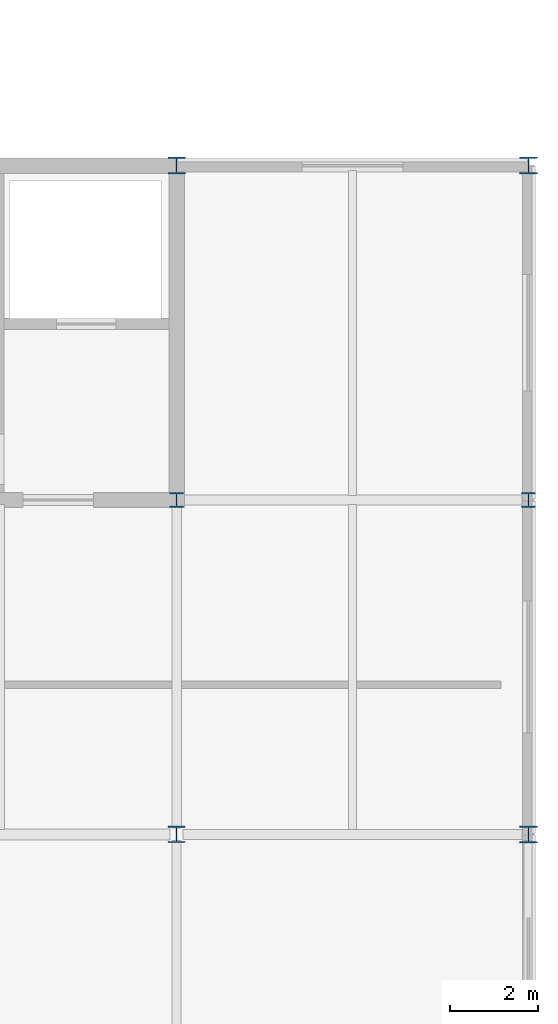
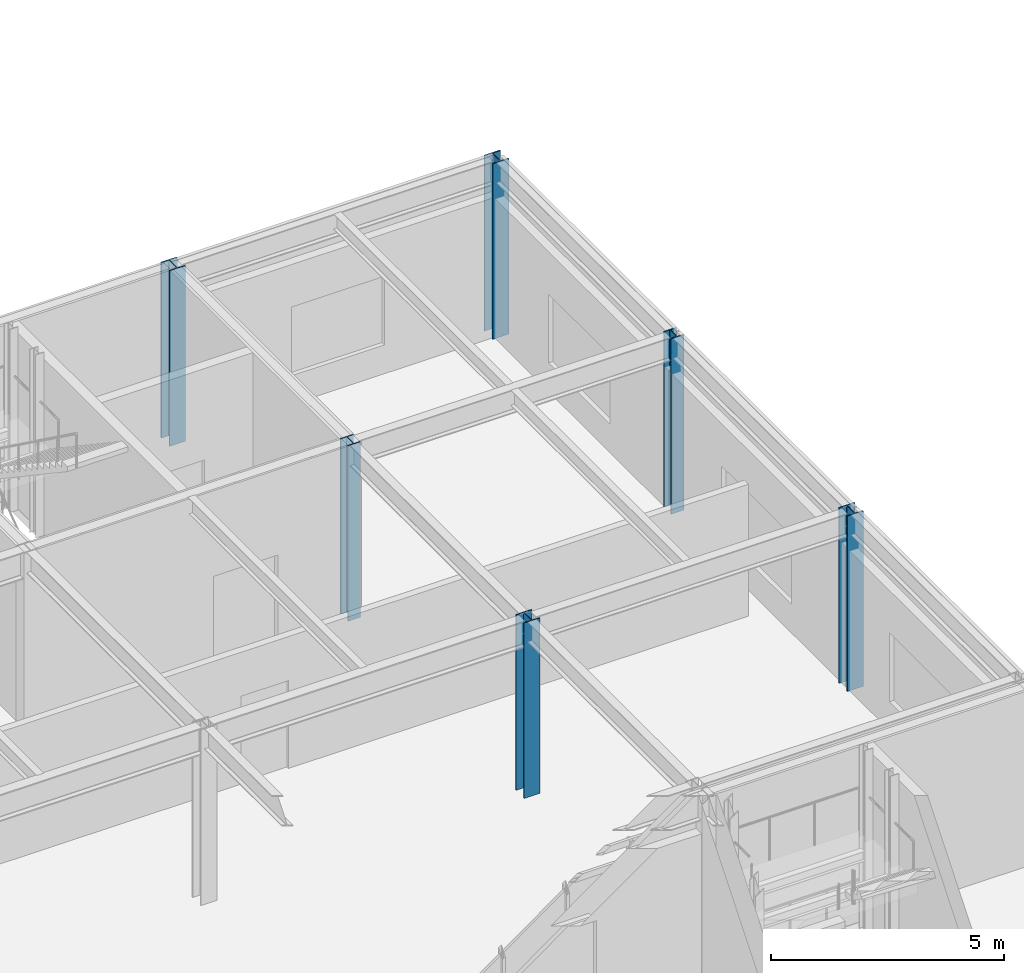
# One storey, part 20 of 104: 6 columns.
"""IFC4 building model written with IfcOpenShell, lengths in metres."""

import ifcopenshell
import ifcopenshell.guid

model = None  # the IFC model being written
_history = None  # IfcOwnerHistory: only IFC2X3 demands one
_inside = {}  # id of a spatial element -> (the spatial element, [elements in it])
_under = {}  # id of a project, library or spatial element -> (it, [spatial elements below it])
_declared = {}  # id of a project -> (the project, [libraries it declares])
_typed = {}  # id of a type object -> (the type object, [elements of that type])
_made_of = {}  # id of a material, layer set ... -> (it, [elements and type objects made of it])


def new_model(schema):
    """Start an empty IFC model of exactly this schema.

    Asked for "IFC4X3", IfcOpenShell would pick the latest addendum, in which some entities
    have other attributes; the version numbers below select the first issue.
    IFC2X3 requires an IfcOwnerHistory on every rooted entity: one is made here for all.
    """
    global model, _history
    if schema == "IFC4X3":
        model = ifcopenshell.file(schema_version=(4, 3, 0, 0))
    else:
        model = ifcopenshell.file(schema=schema)
    _inside.clear()
    _under.clear()
    _declared.clear()
    _typed.clear()
    _made_of.clear()
    _history = None
    if model.schema == "IFC2X3":
        org = make("IfcOrganization", Name="unknown")
        user = make(
            "IfcPersonAndOrganization",
            ThePerson=make("IfcPerson", FamilyName="unknown"),
            TheOrganization=org,
        )
        app = make(
            "IfcApplication",
            ApplicationDeveloper=org,
            Version="unknown",
            ApplicationFullName="unknown",
            ApplicationIdentifier="unknown",
        )
        _history = make(
            "IfcOwnerHistory",
            OwningUser=user,
            OwningApplication=app,
            ChangeAction="ADDED",
            CreationDate=0,
        )
    return model


def make(cls, **values):
    """One entity of the class cls with the attributes given. An attribute that is None is left unset."""
    return model.create_entity(
        cls, **{name: value for name, value in values.items() if value is not None}
    )


def rooted(cls, **values):
    """An entity with a GlobalId (a new one), such as an element, a storey or a relation."""
    return make(cls, GlobalId=ifcopenshell.guid.new(), OwnerHistory=_history, **values)


def si_unit(unit_type, name, prefix=None):
    """IfcSIUnit, for example si_unit("LENGTHUNIT", "METRE", prefix="MILLI")."""
    return make("IfcSIUnit", UnitType=unit_type, Prefix=prefix, Name=name)


def assignment(units):
    """IfcUnitAssignment: the units of a project."""
    return None if units is None else make("IfcUnitAssignment", Units=units)


def point(xyz):
    """IfcCartesianPoint."""
    return None if xyz is None else make("IfcCartesianPoint", Coordinates=xyz)


def direction(xyz):
    """IfcDirection."""
    return None if xyz is None else make("IfcDirection", DirectionRatios=xyz)


def frame(location, z_axis=None, x_axis=None):
    """IfcAxis2Placement3D, a coordinate frame: its origin and axes. An axis left out is left unset."""
    return make(
        "IfcAxis2Placement3D",
        Location=point(location),
        Axis=direction(z_axis),
        RefDirection=direction(x_axis),
    )


def frame_2d(location, x_axis=None):
    """IfcAxis2Placement2D, a coordinate frame in the plane: its origin and x axis."""
    return make(
        "IfcAxis2Placement2D", Location=point(location), RefDirection=direction(x_axis)
    )


def origin():
    """The frame at (0, 0, 0) with its axes left unset."""
    return frame((0.0, 0.0, 0.0))


def origin_2d():
    """The frame at (0, 0) in the plane with its x axis left unset."""
    return frame_2d((0.0, 0.0))


def place(relative_to, where):
    """IfcLocalPlacement: puts the frame where relative to a parent placement (None: the world)."""
    return make(
        "IfcLocalPlacement", PlacementRelTo=relative_to, RelativePlacement=where
    )


def context(
    kind, dimensions, precision=None, world=None, true_north=None, identifier=None
):
    """IfcGeometricRepresentationContext, for example the 3D "Model" context."""
    return make(
        "IfcGeometricRepresentationContext",
        ContextIdentifier=identifier,
        ContextType=kind,
        CoordinateSpaceDimension=dimensions,
        Precision=precision,
        WorldCoordinateSystem=world,
        TrueNorth=true_north,
    )


def subcontext(parent, identifier, kind, view, scale=None):
    """IfcGeometricRepresentationSubContext, for example "Body" below "Model"."""
    return make(
        "IfcGeometricRepresentationSubContext",
        ContextIdentifier=identifier,
        ContextType=kind,
        ParentContext=parent,
        TargetScale=scale,
        TargetView=view,
    )


def project(units=None, contexts=None):
    """IfcProject with its units and contexts."""
    return rooted(
        "IfcProject",
        Name="project",
        RepresentationContexts=contexts,
        UnitsInContext=assignment(units),
    )


def spatial(cls, under=None, at=None, **own):
    """A site, building, storey or space (cls), placed at a placement, below another one or the project."""
    s = rooted(cls, ObjectPlacement=at, **own)
    if under is not None:
        _under.setdefault(under.id(), (under, []))[1].append(s)
    return s


def profile(cls, at=None, kind="AREA", **sizes):
    """A parametric profile (cls). Its sizes go by their IFC names, for example OverallWidth=200.0."""
    return make(cls, ProfileType=kind, Position=at, **sizes)


def i_section(**sizes):
    """IfcIShapeProfileDef."""
    return profile("IfcIShapeProfileDef", **sizes)


def extrude(swept, where, along, depth):
    """IfcExtrudedAreaSolid: the profile swept, set in the frame where, extruded along a direction by depth."""
    return make(
        "IfcExtrudedAreaSolid",
        SweptArea=swept,
        Position=where,
        ExtrudedDirection=direction(along),
        Depth=depth,
    )


def shape(context_of_items, identifier, shape_type, items):
    """IfcShapeRepresentation: the items that make up one representation, for example the "Body"."""
    return make(
        "IfcShapeRepresentation",
        ContextOfItems=context_of_items,
        RepresentationIdentifier=identifier,
        RepresentationType=shape_type,
        Items=items,
    )


def material(Name=None, Category=None):
    """IfcMaterial."""
    return make("IfcMaterial", Name=Name, Category=Category)


def material_profile(
    of_material, cross_section, Name=None, Category=None, Priority=None
):
    """IfcMaterialProfile: a cross section and its material."""
    return make(
        "IfcMaterialProfile",
        Name=Name,
        Material=of_material,
        Profile=cross_section,
        Priority=Priority,
        Category=Category,
    )


def profile_set(profiles, Name=None, composite=None):
    """IfcMaterialProfileSet."""
    return make(
        "IfcMaterialProfileSet",
        Name=Name,
        MaterialProfiles=profiles,
        CompositeProfile=composite,
    )


def made_of(thing, what):
    """Note that an element or type object is made of a material, layer set ...; save() writes the relation."""
    if what is not None:
        _made_of.setdefault(what.id(), (what, []))[1].append(thing)
    return thing


def type_object(cls, material=None, **own):
    """A type object (cls), such as IfcWallType, which elements share."""
    return made_of(rooted(cls, **own), material)


def element(
    cls,
    number,
    at=None,
    inside=None,
    cuts=None,
    type_object=None,
    material=None,
    context=None,
    identifier="Body",
    shape_type=None,
    held_by="IfcProductDefinitionShape",
    body=None,
    shapes=None,
    **own,
):
    """One element of the class cls, such as IfcWall. Its Tag is "e" and its number.

    at: its placement. inside: the storey or other place that contains it. cuts: it is an
    opening in that element (IfcRelVoidsElement). A single representation is given by context,
    identifier, shape_type and body (its items); several are given by shapes. held_by: the class
    of the entity that holds the representations. save() writes the other relations.
    """
    e = rooted(cls, Tag="e%d" % number, ObjectPlacement=at, **own)
    if body is not None:
        shapes = [shape(context, identifier, shape_type, body)]
    if shapes is not None:
        e.Representation = make(held_by, Representations=shapes)
    if inside is not None:
        _inside.setdefault(inside.id(), (inside, []))[1].append(e)
    if cuts is not None:
        rooted(
            "IfcRelVoidsElement", RelatingBuildingElement=cuts, RelatedOpeningElement=e
        )
    if type_object is not None:
        _typed.setdefault(type_object.id(), (type_object, []))[1].append(e)
    return made_of(e, material)


def aggregate(whole, parts):
    """IfcRelAggregates: a whole, such as a stair, and the parts it consists of."""
    return rooted("IfcRelAggregates", RelatingObject=whole, RelatedObjects=parts)


def save(model, path):
    """Write the relations noted so far, then the file.

    IfcRelAggregates (storeys below a building ...), IfcRelContainedInSpatialStructure (elements
    in a storey), IfcRelDefinesByType, IfcRelAssociatesMaterial and IfcRelDeclares: one each for
    every whole, place, type object, material and project.
    """
    for whole, parts in _under.values():
        aggregate(whole, parts)
    for where, things in _inside.values():
        rooted(
            "IfcRelContainedInSpatialStructure",
            RelatedElements=things,
            RelatingStructure=where,
        )
    for kind, things in _typed.values():
        rooted("IfcRelDefinesByType", RelatedObjects=things, RelatingType=kind)
    for what, things in _made_of.values():
        rooted("IfcRelAssociatesMaterial", RelatedObjects=things, RelatingMaterial=what)
    for by, libraries in _declared.values():
        rooted("IfcRelDeclares", RelatingContext=by, RelatedDefinitions=libraries)
    model.write(path)


model = new_model("IFC4")

# Units and contexts
model_context = context("Model", 3, precision=1e-05, world=origin(), true_north=direction((0.0, 1.0)))
body_context = subcontext(model_context, "Body", "Model", "MODEL_VIEW")
ifc_project = project(units=[si_unit("LENGTHUNIT", "METRE"), si_unit("AREAUNIT", "SQUARE_METRE"), si_unit("VOLUMEUNIT", "CUBIC_METRE"), si_unit("PLANEANGLEUNIT", "RADIAN"), si_unit("MASSUNIT", "GRAM", prefix="KILO")], contexts=[model_context])

# Site, building, storey
site_placement = place(None, origin())
site = spatial("IfcSite", under=ifc_project, at=site_placement, CompositionType="ELEMENT")
building_placement = place(site_placement, origin())
building = spatial("IfcBuilding", under=site, at=building_placement, Name="Zulena Civic Courthouse", CompositionType="ELEMENT")
storey_placement = place(building_placement, frame((0.0, 0.0, 10.800048828125)))
storey = spatial("IfcBuildingStorey", under=building, at=storey_placement, Name="L02", CompositionType="ELEMENT", Elevation=10.800048828125)

# Columns
ifc_material = material(Name="Steel ASTM A992 Grade 50", Category="steel")
ifc_material_profile_1 = material_profile(ifc_material, i_section(OverallWidth=0.31298828125, OverallDepth=0.3330078125, WebThickness=0.01806640625, FlangeThickness=0.0283203125, FilletRadius=0.01513671875, at=origin_2d()), Name="W12X120")
ifc_profile_set_1 = profile_set([ifc_material_profile_1], Name="Steel ASTM A992 Grade 50")
column_type_1 = type_object("IfcColumnType", Name="Col_W12X120", PredefinedType="COLUMN", material=ifc_profile_set_1)
for number, where, z_axis, x_axis, name in (
    (1, (164.0, 45.60009765625, 0.0), (0.0, 0.0, 1.0), (1.0, 0.0, 0.0), "col:V3:L02:164.0:45.6"),
    (2, (172.0, 45.60009765625, 0.0), (0.0, 0.0, 1.0), (1.0, 0.0, 0.0), "col:V3:L02:172.0:45.6"),
):
    element("IfcColumn", number, at=place(storey_placement, frame(where, z_axis=z_axis, x_axis=x_axis)), inside=storey, type_object=column_type_1, Name=name, PredefinedType="COLUMN", context=body_context, shape_type="SweptSolid", body=[
        extrude(i_section(OverallWidth=0.31298828125, OverallDepth=0.3330078125, WebThickness=0.01806640625, FlangeThickness=0.0283203125, FilletRadius=0.01513671875, at=origin_2d()), origin(), (0.0, 0.0, 1.0), 4.58984375),
    ])
ifc_material_profile_2 = material_profile(ifc_material, i_section(OverallWidth=0.39404296875, OverallDepth=0.3759765625, WebThickness=0.017333984375, FlangeThickness=0.027587890625, FilletRadius=0.01513671875, at=origin_2d()), Name="W14X145")
ifc_profile_set_2 = profile_set([ifc_material_profile_2], Name="Steel ASTM A992 Grade 50")
column_type_2 = type_object("IfcColumnType", Name="Col_W14X145", PredefinedType="COLUMN", material=ifc_profile_set_2)
column_placement = place(storey_placement, frame((164.0, 38.0, 0.0), z_axis=(0.0, 0.0, 1.0), x_axis=(1.0, 0.0, 0.0)))
element("IfcColumn", 3, at=column_placement, inside=storey, type_object=column_type_2, Name="col:V3:L02:164.0:38.0", PredefinedType="COLUMN", context=body_context, shape_type="SweptSolid", body=[
    extrude(i_section(OverallWidth=0.39404296875, OverallDepth=0.3759765625, WebThickness=0.017333984375, FlangeThickness=0.027587890625, FilletRadius=0.01513671875, at=origin_2d()), origin(), (0.0, 0.0, 1.0), 4.58984375),
])
ifc_material_profile_3 = material_profile(ifc_material, i_section(OverallWidth=0.39892578125, OverallDepth=0.386962890625, WebThickness=0.02099609375, FlangeThickness=0.033203125, FilletRadius=0.01513671875, at=origin_2d()), Name="W14X176")
ifc_profile_set_3 = profile_set([ifc_material_profile_3], Name="Steel ASTM A992 Grade 50")
column_type_3 = type_object("IfcColumnType", Name="Col_W14X176", PredefinedType="COLUMN", material=ifc_profile_set_3)
for number, where, z_axis, x_axis, name in (
    (4, (164.0, 53.199951171875, 0.0), (0.0, 0.0, 1.0), (1.0, 0.0, 0.0), "col:V3:L02:164.0:53.2"),
    (5, (172.0, 38.0, 0.0), (0.0, 0.0, 1.0), (1.0, 0.0, 0.0), "col:V3:L02:172.0:38.0"),
    (6, (172.0, 53.199951171875, 0.0), (0.0, 0.0, 1.0), (1.0, 0.0, 0.0), "col:V3:L02:172.0:53.2"),
):
    element("IfcColumn", number, at=place(storey_placement, frame(where, z_axis=z_axis, x_axis=x_axis)), inside=storey, type_object=column_type_3, Name=name, PredefinedType="COLUMN", context=body_context, shape_type="SweptSolid", body=[
        extrude(i_section(OverallWidth=0.39892578125, OverallDepth=0.386962890625, WebThickness=0.02099609375, FlangeThickness=0.033203125, FilletRadius=0.01513671875, at=origin_2d()), origin(), (0.0, 0.0, 1.0), 4.58984375),
    ])

save(model, "model.ifc")
